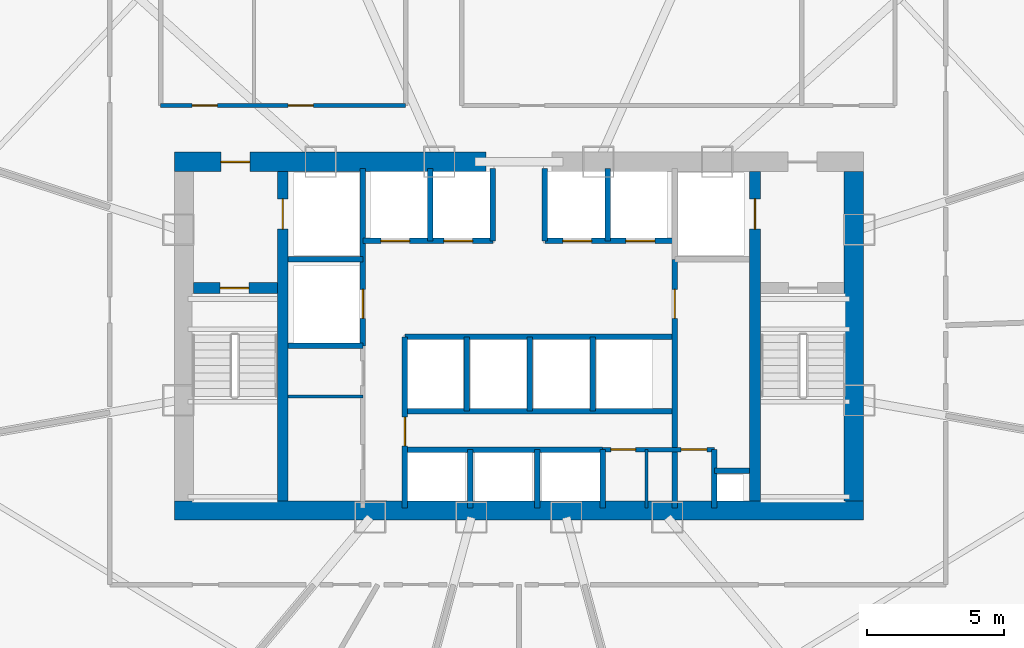
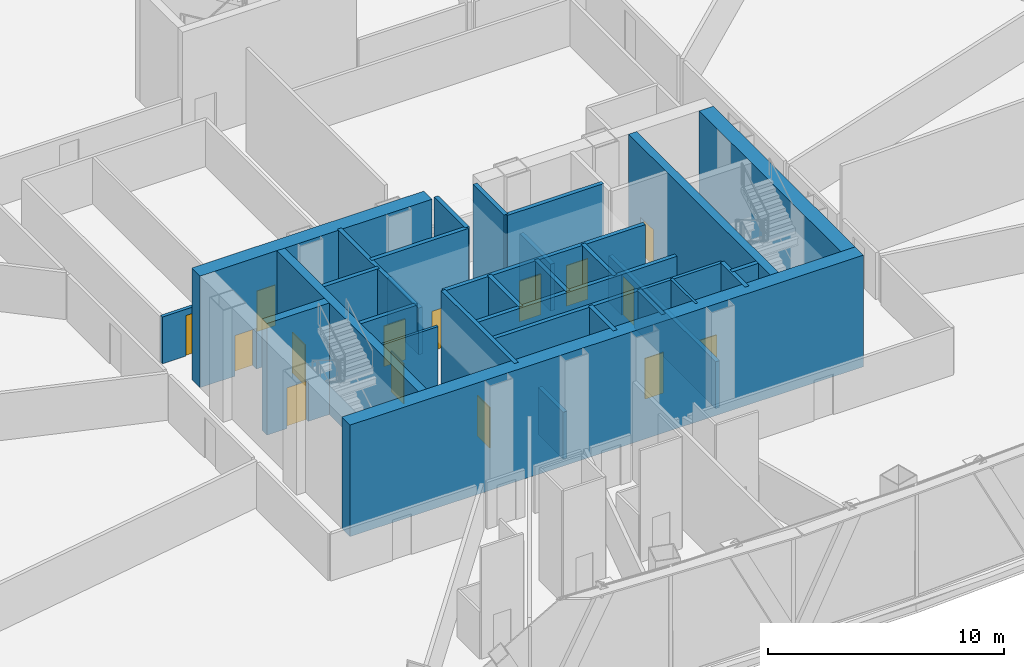
# One storey, part 34 of 41: 32 walls, 15 doors, 15 openings.
"""IFC4 building model written with IfcOpenShell, lengths in metres."""

from ifc_helpers import new_model, si_unit, direction, frame, frame_2d, origin, origin_with_axes, place, context, subcontext, project, spatial, rectangle, extrude, source, transform, mapped, material, layer, layer_set, type_object, element, fill, save


model = new_model("IFC4")

# Units and contexts
model_context = context("Model", 3, precision=1e-05, world=origin(), true_north=direction((0.0, 1.0)))
body_context = subcontext(model_context, "Body", "Model", "MODEL_VIEW")
ifc_project = project(units=[si_unit("LENGTHUNIT", "METRE"), si_unit("AREAUNIT", "SQUARE_METRE"), si_unit("VOLUMEUNIT", "CUBIC_METRE"), si_unit("PLANEANGLEUNIT", "RADIAN"), si_unit("MASSUNIT", "GRAM", prefix="KILO"), si_unit("THERMODYNAMICTEMPERATUREUNIT", "KELVIN"), si_unit("POWERUNIT", "WATT")], contexts=[model_context])

# Site, building, storey
site_placement = place(None, origin())
site = spatial("IfcSite", under=ifc_project, at=site_placement, CompositionType="ELEMENT")
building_placement = place(site_placement, origin())
building = spatial("IfcBuilding", under=site, at=building_placement, Name="Yunzhuo Pagoda Commons", CompositionType="ELEMENT")
storey_placement = place(building_placement, frame((0.0, 0.0, 70.330078125)))
storey = spatial("IfcBuildingStorey", under=building, at=storey_placement, Name="L18", CompositionType="ELEMENT", Elevation=70.330078125)

# Wall
ifc_material_1 = material(Name="Concrete C60", Category="concrete")
ifc_layer_1 = layer(ifc_material_1, 0.699951171875)
ifc_layer_set_1 = layer_set([ifc_layer_1], Name="Concrete C60")
wall_type_1 = type_object("IfcWallType", Name="W-C01 Lower Core Shear Wall 700", PredefinedType="SHEAR", material=ifc_layer_set_1)
wall_1_placement = place(storey_placement, frame((35.449951171875, 27.5, 0.0), z_axis=(0.0, 0.0, 1.0), x_axis=(1.0, 0.0, 0.0)))
element("IfcWall", 1, at=wall_1_placement, inside=storey, type_object=wall_type_1, Name="L18 core shear wall S", PredefinedType="SHEAR", context=body_context, shape_type="SweptSolid", body=[
    extrude(rectangle(XDim=25.10009765625, YDim=0.699951171875, at=frame_2d((12.550048828125, 0.0))), origin(), (0.0, 0.0, 1.0), 5.77001953125),
])

# Wall, opening, door
wall_2_placement = place(storey_placement, frame((35.449951171875, 40.199951171875, 0.0), z_axis=(0.0, 0.0, 1.0), x_axis=(1.0, 0.0, 0.0)))
wall_2 = element("IfcWall", 2, at=wall_2_placement, inside=storey, type_object=wall_type_1, Name="L18 core shear wall NW", PredefinedType="SHEAR", context=body_context, shape_type="SweptSolid", body=[
    extrude(rectangle(XDim=11.35009765625, YDim=0.699951171875, at=frame_2d((5.675048828125, 0.0))), origin(), (0.0, 0.0, 1.0), 5.77001953125),
])
opening_1_placement = place(wall_2_placement, frame((1.699951171875, 0.0, 0.0)))
opening_1 = element("IfcOpeningElement", 3, at=opening_1_placement, cuts=wall_2, Name="Opening D-02", PredefinedType="OPENING", context=body_context, shape_type="SweptSolid", body=[
    extrude(rectangle(XDim=1.050048828125, YDim=2.10009765625, at=frame_2d((0.52490234375, 1.050048828125))), frame((0.0, 0.35986328125, 0.0), z_axis=(0.0, -1.0, 0.0), x_axis=(1.0, 0.0, 0.0)), (0.0, 0.0, 1.0), 0.719970703125),
])
ifc_material_2 = material(Name="Galvanized fire-resisting metal leaf")
door_type_1 = type_object("IfcDoorType", Name="D-02 Firefighting Lobby & Refuge Fire Door 1050x2100", OperationType="NOTDEFINED", PredefinedType="DOOR", material=ifc_material_2)
shared_shape_1 = source(origin(), body_context, "Body", "SweptSolid", [
    extrude(rectangle(XDim=1.050048828125, YDim=2.10009765625, at=frame_2d((0.52490234375, 1.050048828125))), frame((0.0, 0.02490234375, 0.0), z_axis=(0.0, -1.0, 0.0), x_axis=(1.0, 0.0, 0.0)), (0.0, 0.0, 1.0), 0.050048828125),
])
door_1_placement = place(opening_1_placement, frame((1.050048828125, 0.0, 0.0), z_axis=(0.0, 0.0, 1.0), x_axis=(-1.0, 0.0, 0.0)))
door_1 = element("IfcDoor", 4, at=door_1_placement, inside=storey, type_object=door_type_1, Name="L18 Firefighting Lobby 1 fire door", OperationType="SINGLE_SWING_LEFT", OverallHeight=2.10009765625, OverallWidth=1.050048828125, PredefinedType="DOOR", context=body_context, shape_type="MappedRepresentation", body=[
    mapped(shared_shape_1, transform((0.0, 0.0, 0.0), scale=1.0)),
])
fill(opening_1, door_1)

# Wall
wall_3_placement = place(storey_placement, frame((60.199951171875, 27.85009765625, 0.0), z_axis=(0.0, 0.0, 1.0), x_axis=(0.0, 1.0, 0.0)))
element("IfcWall", 5, at=wall_3_placement, inside=storey, type_object=wall_type_1, Name="L18 core shear wall E", PredefinedType="SHEAR", context=body_context, shape_type="SweptSolid", body=[
    extrude(rectangle(XDim=12.0, YDim=0.699951171875, at=frame_2d((6.0, 0.0))), origin(), (0.0, 0.0, 1.0), 5.77001953125),
])

# Wall, openings, doors
ifc_material_3 = material(Name="Gypsum plasterboard on acoustic stud")
ifc_layer_2 = layer(ifc_material_3, 0.159912109375)
ifc_layer_set_2 = layer_set([ifc_layer_2], Name="Gypsum plasterboard on acoustic stud")
wall_type_2 = type_object("IfcWallType", Name="W-COR1 Tower Rated Corridor Wall 160", PredefinedType="PARTITIONING", material=ifc_layer_set_2)
wall_4_placement = place(storey_placement, frame((51.050048828125, 29.719970703125, 0.0), z_axis=(0.0, 0.0, 1.0), x_axis=(1.0, 0.0, 0.0)))
wall_4 = element("IfcWall", 6, at=wall_4_placement, inside=storey, type_object=wall_type_2, Name="L18 interior wall IW-L18-CSES", PredefinedType="PARTITIONING", context=body_context, shape_type="SweptSolid", body=[
    extrude(rectangle(XDim=4.070068359375, YDim=0.159912109375, at=frame_2d((2.03515625, 0.0))), origin(), (0.0, 0.0, 1.0), 5.77001953125),
])
opening_2_placement = place(wall_4_placement, frame((0.300048828125, 0.0, 0.0)))
opening_2 = element("IfcOpeningElement", 7, at=opening_2_placement, cuts=wall_4, Name="Opening D-03", PredefinedType="OPENING", context=body_context, shape_type="SweptSolid", body=[
    extrude(rectangle(XDim=0.89990234375, YDim=2.10009765625, at=frame_2d((0.449951171875, 1.050048828125))), frame((0.0, 0.08984375, 0.0), z_axis=(0.0, -1.0, 0.0), x_axis=(1.0, 0.0, 0.0)), (0.0, 0.0, 1.0), 0.179931640625),
])
opening_3_placement = place(wall_4_placement, frame((2.860107421875, 0.0, 0.0)))
opening_3 = element("IfcOpeningElement", 8, at=opening_3_placement, cuts=wall_4, Name="Opening D-11", PredefinedType="OPENING", context=body_context, shape_type="SweptSolid", body=[
    extrude(rectangle(XDim=0.93994140625, YDim=2.10009765625, at=frame_2d((0.469970703125, 1.050048828125))), frame((0.0, 0.08984375, 0.0), z_axis=(0.0, -1.0, 0.0), x_axis=(1.0, 0.0, 0.0)), (0.0, 0.0, 1.0), 0.179931640625),
])
door_type_2 = type_object("IfcDoorType", Name="D-03 Core Service Fire Door 900x2100", OperationType="NOTDEFINED", PredefinedType="DOOR", material=ifc_material_2)
shared_shape_2 = source(origin(), body_context, "Body", "SweptSolid", [
    extrude(rectangle(XDim=0.89990234375, YDim=2.10009765625, at=frame_2d((0.449951171875, 1.050048828125))), frame((0.0, 0.02490234375, 0.0), z_axis=(0.0, -1.0, 0.0), x_axis=(1.0, 0.0, 0.0)), (0.0, 0.0, 1.0), 0.050048828125),
])
door_2_placement = place(opening_2_placement, origin_with_axes())
door_2 = element("IfcDoor", 9, at=door_2_placement, inside=storey, type_object=door_type_2, Name="L18 cleaner door", OperationType="SINGLE_SWING_LEFT", OverallHeight=2.10009765625, OverallWidth=0.89990234375, PredefinedType="DOOR", context=body_context, shape_type="MappedRepresentation", body=[
    mapped(shared_shape_2, transform((0.0, 0.0, 0.0), scale=1.0)),
])
fill(opening_2, door_2)
door_type_3 = type_object("IfcDoorType", Name="D-11 Accessible Washroom Fire Door 940x2100", OperationType="NOTDEFINED", PredefinedType="DOOR", material=ifc_material_2)
shared_shape_3 = source(origin(), body_context, "Body", "SweptSolid", [
    extrude(rectangle(XDim=0.93994140625, YDim=2.10009765625, at=frame_2d((0.469970703125, 1.050048828125))), frame((0.0, 0.02490234375, 0.0), z_axis=(0.0, -1.0, 0.0), x_axis=(1.0, 0.0, 0.0)), (0.0, 0.0, 1.0), 0.050048828125),
])
door_3_placement = place(opening_3_placement, origin_with_axes())
door_3 = element("IfcDoor", 10, at=door_3_placement, inside=storey, type_object=door_type_3, Name="L18 core WC door", OperationType="SINGLE_SWING_RIGHT", OverallHeight=2.10009765625, OverallWidth=0.93994140625, PredefinedType="DOOR", context=body_context, shape_type="MappedRepresentation", body=[
    mapped(shared_shape_3, transform((0.0, 0.0, 0.0), scale=1.0)),
])
fill(opening_3, door_3)

wall_5_placement = place(storey_placement, frame((34.949951171875, 42.25, 0.0), z_axis=(0.0, 0.0, 1.0), x_axis=(1.0, 0.0, 0.0)))
wall_5 = element("IfcWall", 11, at=wall_5_placement, inside=storey, type_object=wall_type_2, Name="L18 interior wall IW-L18-ISLWS", PredefinedType="PARTITIONING", context=body_context, shape_type="SweptSolid", body=[
    extrude(rectangle(XDim=8.929931640625, YDim=0.159912109375, at=frame_2d((4.46484375, 0.0))), origin(), (0.0, 0.0, 1.0), 2.419921875),
])
opening_4_placement = place(wall_5_placement, frame((1.14990234375, 0.0, 0.0)))
opening_4 = element("IfcOpeningElement", 12, at=opening_4_placement, cuts=wall_5, Name="Opening D-04", PredefinedType="OPENING", context=body_context, shape_type="SweptSolid", body=[
    extrude(rectangle(XDim=0.919921875, YDim=2.10009765625, at=frame_2d((0.4599609375, 1.050048828125))), frame((0.0, 0.08984375, 0.0), z_axis=(0.0, -1.0, 0.0), x_axis=(1.0, 0.0, 0.0)), (0.0, 0.0, 1.0), 0.179931640625),
])
opening_5_placement = place(wall_5_placement, frame((4.64990234375, 0.0, 0.0)))
opening_5 = element("IfcOpeningElement", 13, at=opening_5_placement, cuts=wall_5, Name="Opening D-04", PredefinedType="OPENING", context=body_context, shape_type="SweptSolid", body=[
    extrude(rectangle(XDim=0.919921875, YDim=2.10009765625, at=frame_2d((0.4599609375, 1.050048828125))), frame((0.0, 0.08984375, 0.0), z_axis=(0.0, -1.0, 0.0), x_axis=(1.0, 0.0, 0.0)), (0.0, 0.0, 1.0), 0.179931640625),
])
ifc_material_4 = material(Name="Powder-coated aluminium and timber acoustic leaf", Category="wood")
door_type_4 = type_object("IfcDoorType", Name="D-04 Bedroom & Study Interior Door 920x2100", OperationType="NOTDEFINED", PredefinedType="DOOR", material=ifc_material_4)
shared_shape_4 = source(origin(), body_context, "Body", "SweptSolid", [
    extrude(rectangle(XDim=0.919921875, YDim=2.10009765625, at=frame_2d((0.4599609375, 1.050048828125))), frame((0.0, 0.02490234375, 0.0), z_axis=(0.0, -1.0, 0.0), x_axis=(1.0, 0.0, 0.0)), (0.0, 0.0, 1.0), 0.050048828125),
])
door_4_placement = place(opening_4_placement, frame((0.919921875, 0.0, 0.0), z_axis=(0.0, 0.0, 1.0), x_axis=(-1.0, 0.0, 0.0)))
door_4 = element("IfcDoor", 14, at=door_4_placement, inside=storey, type_object=door_type_4, Name="L18 laundry door", OperationType="SINGLE_SWING_LEFT", OverallHeight=2.10009765625, OverallWidth=0.919921875, PredefinedType="DOOR", context=body_context, shape_type="MappedRepresentation", body=[
    mapped(shared_shape_4, transform((0.0, 0.0, 0.0), scale=1.0)),
])
fill(opening_4, door_4)
door_5_placement = place(opening_5_placement, frame((0.919921875, 0.0, 0.0), z_axis=(0.0, 0.0, 1.0), x_axis=(-1.0, 0.0, 0.0)))
door_5 = element("IfcDoor", 15, at=door_5_placement, inside=storey, type_object=door_type_4, Name="L18 study commons W door", OperationType="SINGLE_SWING_RIGHT", OverallHeight=2.10009765625, OverallWidth=0.919921875, PredefinedType="DOOR", context=body_context, shape_type="MappedRepresentation", body=[
    mapped(shared_shape_4, transform((0.0, 0.0, 0.0), scale=1.0)),
])
fill(opening_5, door_5)

# Walls
ifc_layer_3 = layer(ifc_material_3, 0.1201171875)
ifc_layer_set_3 = layer_set([ifc_layer_3], Name="Gypsum plasterboard on acoustic stud")
wall_type_3 = type_object("IfcWallType", Name="W-PRT1 Suite & Bathroom Partition 120", PredefinedType="PARTITIONING", material=ifc_layer_set_3)
wall_6_placement = place(storey_placement, frame((39.60009765625, 31.64990234375, 0.0), z_axis=(0.0, 0.0, 1.0), x_axis=(1.0, 0.0, 0.0)))
element("IfcWall", 16, at=wall_6_placement, inside=storey, type_object=wall_type_3, Name="L18 interior wall IW-L18-CD1", PredefinedType="PARTITIONING", context=body_context, shape_type="SweptSolid", body=[
    extrude(rectangle(XDim=2.719970703125, YDim=0.1201171875, at=frame_2d((1.35986328125, 0.0))), origin(), (0.0, 0.0, 1.0), 5.77001953125),
])
wall_7_placement = place(storey_placement, frame((52.64990234375, 27.60009765625, 0.0), z_axis=(0.0, 0.0, 1.0), x_axis=(0.0, 1.0, 0.0)))
element("IfcWall", 17, at=wall_7_placement, inside=storey, type_object=wall_type_3, Name="L18 interior wall IW-L18-CD2", PredefinedType="PARTITIONING", context=body_context, shape_type="SweptSolid", body=[
    extrude(rectangle(XDim=2.119873046875, YDim=0.1201171875, at=frame_2d((1.06005859375, 0.0))), origin(), (0.0, 0.0, 1.0), 5.77001953125),
])

# Wall, opening, door
ifc_layer_4 = layer(ifc_material_1, 0.39990234375)
ifc_layer_set_4 = layer_set([ifc_layer_4], Name="Concrete C60")
wall_type_4 = type_object("IfcWallType", Name="W-S01 Internal Core Shear Web 400", PredefinedType="SHEAR", material=ifc_layer_set_4)
wall_8_placement = place(storey_placement, frame((39.39990234375, 27.85009765625, 0.0), z_axis=(0.0, 0.0, 1.0), x_axis=(0.0, 1.0, 0.0)))
wall_8 = element("IfcWall", 18, at=wall_8_placement, inside=storey, type_object=wall_type_4, Name="L18 core shear wall WEBW", PredefinedType="SHEAR", context=body_context, shape_type="SweptSolid", body=[
    extrude(rectangle(XDim=12.0, YDim=0.39990234375, at=frame_2d((6.0, 0.0))), origin(), (0.0, 0.0, 1.0), 5.77001953125),
])
opening_6_placement = place(wall_8_placement, frame((9.89990234375, 0.0, 0.0)))
opening_6 = element("IfcOpeningElement", 19, at=opening_6_placement, cuts=wall_8, Name="Opening LD-01", PredefinedType="OPENING", context=body_context, shape_type="SweptSolid", body=[
    extrude(rectangle(XDim=1.10009765625, YDim=2.10009765625, at=frame_2d((0.550048828125, 1.050048828125))), frame((0.0, 0.2099609375, 0.0), z_axis=(0.0, -1.0, 0.0), x_axis=(1.0, 0.0, 0.0)), (0.0, 0.0, 1.0), 0.419921875),
])
door_type_5 = type_object("IfcDoorType", Name="LD-01 Firefighting Lift Landing Door 1100x2100", OperationType="DOUBLE_DOOR_SLIDING", PredefinedType="DOOR", material=ifc_material_2)
shared_shape_5 = source(origin(), body_context, "Body", "SweptSolid", [
    extrude(rectangle(XDim=1.10009765625, YDim=2.10009765625, at=frame_2d((0.550048828125, 1.050048828125))), frame((0.0, 0.02490234375, 0.0), z_axis=(0.0, -1.0, 0.0), x_axis=(1.0, 0.0, 0.0)), (0.0, 0.0, 1.0), 0.050048828125),
])
door_6_placement = place(opening_6_placement, frame((1.10009765625, 0.0, 0.0), z_axis=(0.0, 0.0, 1.0), x_axis=(-1.0, 0.0, 0.0)))
door_6 = element("IfcDoor", 20, at=door_6_placement, inside=storey, type_object=door_type_5, Name="L18 Firefighting lift FL-1 landing door", OperationType="DOUBLE_DOOR_SLIDING", OverallHeight=2.10009765625, OverallWidth=1.10009765625, PredefinedType="DOOR", context=body_context, shape_type="MappedRepresentation", body=[
    mapped(shared_shape_5, transform((0.0, 0.0, 0.0), scale=1.0)),
])
fill(opening_6, door_6)

wall_9_placement = place(storey_placement, frame((56.60009765625, 27.85009765625, 0.0), z_axis=(0.0, 0.0, 1.0), x_axis=(0.0, 1.0, 0.0)))
wall_9 = element("IfcWall", 21, at=wall_9_placement, inside=storey, type_object=wall_type_4, Name="L18 core shear wall WEBE", PredefinedType="SHEAR", context=body_context, shape_type="SweptSolid", body=[
    extrude(rectangle(XDim=12.0, YDim=0.39990234375, at=frame_2d((6.0, 0.0))), origin(), (0.0, 0.0, 1.0), 5.77001953125),
])
opening_7_placement = place(wall_9_placement, frame((9.89990234375, 0.0, 0.0)))
opening_7 = element("IfcOpeningElement", 22, at=opening_7_placement, cuts=wall_9, Name="Opening LD-01", PredefinedType="OPENING", context=body_context, shape_type="SweptSolid", body=[
    extrude(rectangle(XDim=1.10009765625, YDim=2.10009765625, at=frame_2d((0.550048828125, 1.050048828125))), frame((0.0, 0.2099609375, 0.0), z_axis=(0.0, -1.0, 0.0), x_axis=(1.0, 0.0, 0.0)), (0.0, 0.0, 1.0), 0.419921875),
])
door_7_placement = place(opening_7_placement, origin_with_axes())
door_7 = element("IfcDoor", 23, at=door_7_placement, inside=storey, type_object=door_type_5, Name="L18 Firefighting lift FL-2 landing door", OperationType="DOUBLE_DOOR_SLIDING", OverallHeight=2.10009765625, OverallWidth=1.10009765625, PredefinedType="DOOR", context=body_context, shape_type="MappedRepresentation", body=[
    mapped(shared_shape_5, transform((0.0, 0.0, 0.0), scale=1.0)),
])
fill(opening_7, door_7)

wall_10_placement = place(storey_placement, frame((36.14990234375, 35.60009765625, 0.0), z_axis=(0.0, 0.0, 1.0), x_axis=(1.0, 0.0, 0.0)))
wall_10 = element("IfcWall", 24, at=wall_10_placement, inside=storey, type_object=wall_type_4, Name="L18 core shear wall STW", PredefinedType="SHEAR", context=body_context, shape_type="SweptSolid", body=[
    extrude(rectangle(XDim=3.050048828125, YDim=0.39990234375, at=frame_2d((1.52490234375, 0.0))), origin(), (0.0, 0.0, 1.0), 5.77001953125),
])
opening_8_placement = place(wall_10_placement, frame((0.969970703125, 0.0, 0.0)))
opening_8 = element("IfcOpeningElement", 25, at=opening_8_placement, cuts=wall_10, Name="Opening D-01", PredefinedType="OPENING", context=body_context, shape_type="SweptSolid", body=[
    extrude(rectangle(XDim=1.050048828125, YDim=2.10009765625, at=frame_2d((0.52490234375, 1.050048828125))), frame((0.0, 0.2099609375, 0.0), z_axis=(0.0, -1.0, 0.0), x_axis=(1.0, 0.0, 0.0)), (0.0, 0.0, 1.0), 0.419921875),
])
door_type_6 = type_object("IfcDoorType", Name="D-01 Smokeproof Stair Fire Door 1050x2100", OperationType="NOTDEFINED", PredefinedType="DOOR", material=ifc_material_2)
door_8_placement = place(opening_8_placement, frame((1.050048828125, 0.0, 0.0), z_axis=(0.0, 0.0, 1.0), x_axis=(-1.0, 0.0, 0.0)))
door_8 = element("IfcDoor", 26, at=door_8_placement, inside=storey, type_object=door_type_6, Name="L18 Stair ST1 fire door", OperationType="SINGLE_SWING_LEFT", OverallHeight=2.10009765625, OverallWidth=1.050048828125, PredefinedType="DOOR", context=body_context, shape_type="MappedRepresentation", body=[
    mapped(shared_shape_1, transform((0.0, 0.0, 0.0), scale=1.0)),
])
fill(opening_8, door_8)

ifc_material_5 = material(Name="Concrete C40", Category="concrete")
ifc_layer_5 = layer(ifc_material_5, 0.199951171875)
ifc_layer_set_5 = layer_set([ifc_layer_5], Name="Concrete C40")
wall_type_5 = type_object("IfcWallType", Name="W-SHF Shaft & Stair Enclosure Wall 200", PredefinedType="SOLIDWALL", material=ifc_layer_set_5)
wall_11_placement = place(storey_placement, frame((42.320068359375, 33.5, 0.0), z_axis=(0.0, 0.0, 1.0), x_axis=(0.0, 1.0, 0.0)))
wall_11 = element("IfcWall", 27, at=wall_11_placement, inside=storey, type_object=wall_type_5, Name="L18 interior wall IW-L18-FL1E", PredefinedType="SOLIDWALL", context=body_context, shape_type="SweptSolid", body=[
    extrude(rectangle(XDim=6.449951171875, YDim=0.199951171875, at=frame_2d((3.22509765625, 0.0))), origin(), (0.0, 0.0, 1.0), 5.77001953125),
])
opening_9_placement = place(wall_11_placement, frame((1.0, 0.0, 0.0)))
opening_9 = element("IfcOpeningElement", 28, at=opening_9_placement, cuts=wall_11, Name="Opening LD-02", PredefinedType="OPENING", context=body_context, shape_type="SweptSolid", body=[
    extrude(rectangle(XDim=1.050048828125, YDim=2.10009765625, at=frame_2d((0.52490234375, 1.050048828125))), frame((0.0, 0.10986328125, 0.0), z_axis=(0.0, -1.0, 0.0), x_axis=(1.0, 0.0, 0.0)), (0.0, 0.0, 1.0), 0.219970703125),
])
door_type_7 = type_object("IfcDoorType", Name="LD-02 Passenger Lift Landing Door 1050x2100", OperationType="DOUBLE_DOOR_SLIDING", PredefinedType="DOOR", material=ifc_material_2)
door_9_placement = place(opening_9_placement, origin_with_axes())
door_9 = element("IfcDoor", 29, at=door_9_placement, inside=storey, type_object=door_type_7, Name="L18 Service lift SL-1 landing door", OperationType="DOUBLE_DOOR_SLIDING", OverallHeight=2.10009765625, OverallWidth=1.050048828125, PredefinedType="DOOR", context=body_context, shape_type="MappedRepresentation", body=[
    mapped(shared_shape_1, transform((0.0, 0.0, 0.0), scale=1.0)),
])
fill(opening_9, door_9)

# Walls
for number, where, z_axis, x_axis, name in (
    (30, (39.60009765625, 36.64990234375, 0.0), (0.0, 0.0, 1.0), (1.0, 0.0, 0.0), "L18 interior wall IW-L18-FL1S"),
    (31, (39.60009765625, 33.5, 0.0), (0.0, 0.0, 1.0), (1.0, 0.0, 0.0), "L18 interior wall IW-L18-SL1S"),
):
    element("IfcWall", number, at=place(storey_placement, frame(where, z_axis=z_axis, x_axis=x_axis)), inside=storey, type_object=wall_type_5, Name=name, PredefinedType="SOLIDWALL", context=body_context, shape_type="SweptSolid", body=[
        extrude(rectangle(XDim=2.719970703125, YDim=0.199951171875, at=frame_2d((1.35986328125, 0.0))), origin(), (0.0, 0.0, 1.0), 5.77001953125),
    ])

# Wall, openings, doors
wall_12_placement = place(storey_placement, frame((42.320068359375, 37.320068359375, 0.0), z_axis=(0.0, 0.0, 1.0), x_axis=(1.0, 0.0, 0.0)))
wall_12 = element("IfcWall", 32, at=wall_12_placement, inside=storey, type_object=wall_type_5, Name="L18 interior wall IW-L18-LBNW", PredefinedType="SOLIDWALL", context=body_context, shape_type="SweptSolid", body=[
    extrude(rectangle(XDim=4.72998046875, YDim=0.199951171875, at=frame_2d((2.364990234375, 0.0))), origin(), (0.0, 0.0, 1.0), 5.77001953125),
])
opening_10_placement = place(wall_12_placement, frame((0.64990234375, 0.0, 0.0)))
opening_10 = element("IfcOpeningElement", 33, at=opening_10_placement, cuts=wall_12, Name="Opening LD-02", PredefinedType="OPENING", context=body_context, shape_type="SweptSolid", body=[
    extrude(rectangle(XDim=1.050048828125, YDim=2.10009765625, at=frame_2d((0.52490234375, 1.050048828125))), frame((0.0, 0.10986328125, 0.0), z_axis=(0.0, -1.0, 0.0), x_axis=(1.0, 0.0, 0.0)), (0.0, 0.0, 1.0), 0.219970703125),
])
opening_11_placement = place(wall_12_placement, frame((2.949951171875, 0.0, 0.0)))
opening_11 = element("IfcOpeningElement", 34, at=opening_11_placement, cuts=wall_12, Name="Opening LD-02", PredefinedType="OPENING", context=body_context, shape_type="SweptSolid", body=[
    extrude(rectangle(XDim=1.050048828125, YDim=2.10009765625, at=frame_2d((0.52490234375, 1.050048828125))), frame((0.0, 0.10986328125, 0.0), z_axis=(0.0, -1.0, 0.0), x_axis=(1.0, 0.0, 0.0)), (0.0, 0.0, 1.0), 0.219970703125),
])
door_10_placement = place(opening_10_placement, frame((1.050048828125, 0.0, 0.0), z_axis=(0.0, 0.0, 1.0), x_axis=(-1.0, 0.0, 0.0)))
door_10 = element("IfcDoor", 35, at=door_10_placement, inside=storey, type_object=door_type_7, Name="L18 Passenger lift PL-L1 landing door", OperationType="DOUBLE_DOOR_SLIDING", OverallHeight=2.10009765625, OverallWidth=1.050048828125, PredefinedType="DOOR", context=body_context, shape_type="MappedRepresentation", body=[
    mapped(shared_shape_1, transform((0.0, 0.0, 0.0), scale=1.0)),
])
fill(opening_10, door_10)
door_11_placement = place(opening_11_placement, frame((1.050048828125, 0.0, 0.0), z_axis=(0.0, 0.0, 1.0), x_axis=(-1.0, 0.0, 0.0)))
door_11 = element("IfcDoor", 36, at=door_11_placement, inside=storey, type_object=door_type_7, Name="L18 Passenger lift PL-L2 landing door", OperationType="DOUBLE_DOOR_SLIDING", OverallHeight=2.10009765625, OverallWidth=1.050048828125, PredefinedType="DOOR", context=body_context, shape_type="MappedRepresentation", body=[
    mapped(shared_shape_1, transform((0.0, 0.0, 0.0), scale=1.0)),
])
fill(opening_11, door_11)

wall_13_placement = place(storey_placement, frame((48.949951171875, 37.320068359375, 0.0), z_axis=(0.0, 0.0, 1.0), x_axis=(1.0, 0.0, 0.0)))
wall_13 = element("IfcWall", 37, at=wall_13_placement, inside=storey, type_object=wall_type_5, Name="L18 interior wall IW-L18-LBNE", PredefinedType="SOLIDWALL", context=body_context, shape_type="SweptSolid", body=[
    extrude(rectangle(XDim=4.72998046875, YDim=0.199951171875, at=frame_2d((2.364990234375, 0.0))), origin(), (0.0, 0.0, 1.0), 5.77001953125),
])
opening_12_placement = place(wall_13_placement, frame((0.64990234375, 0.0, 0.0)))
opening_12 = element("IfcOpeningElement", 38, at=opening_12_placement, cuts=wall_13, Name="Opening LD-02", PredefinedType="OPENING", context=body_context, shape_type="SweptSolid", body=[
    extrude(rectangle(XDim=1.050048828125, YDim=2.10009765625, at=frame_2d((0.52490234375, 1.050048828125))), frame((0.0, 0.10986328125, 0.0), z_axis=(0.0, -1.0, 0.0), x_axis=(1.0, 0.0, 0.0)), (0.0, 0.0, 1.0), 0.219970703125),
])
opening_13_placement = place(wall_13_placement, frame((2.949951171875, 0.0, 0.0)))
opening_13 = element("IfcOpeningElement", 39, at=opening_13_placement, cuts=wall_13, Name="Opening LD-02", PredefinedType="OPENING", context=body_context, shape_type="SweptSolid", body=[
    extrude(rectangle(XDim=1.050048828125, YDim=2.10009765625, at=frame_2d((0.52490234375, 1.050048828125))), frame((0.0, 0.10986328125, 0.0), z_axis=(0.0, -1.0, 0.0), x_axis=(1.0, 0.0, 0.0)), (0.0, 0.0, 1.0), 0.219970703125),
])
door_12_placement = place(opening_12_placement, frame((1.050048828125, 0.0, 0.0), z_axis=(0.0, 0.0, 1.0), x_axis=(-1.0, 0.0, 0.0)))
door_12 = element("IfcDoor", 40, at=door_12_placement, inside=storey, type_object=door_type_7, Name="L18 Passenger lift PL-L3 landing door", OperationType="DOUBLE_DOOR_SLIDING", OverallHeight=2.10009765625, OverallWidth=1.050048828125, PredefinedType="DOOR", context=body_context, shape_type="MappedRepresentation", body=[
    mapped(shared_shape_1, transform((0.0, 0.0, 0.0), scale=1.0)),
])
fill(opening_12, door_12)
door_13_placement = place(opening_13_placement, frame((1.050048828125, 0.0, 0.0), z_axis=(0.0, 0.0, 1.0), x_axis=(-1.0, 0.0, 0.0)))
door_13 = element("IfcDoor", 41, at=door_13_placement, inside=storey, type_object=door_type_7, Name="L18 Passenger lift PL-L4 landing door", OperationType="DOUBLE_DOOR_SLIDING", OverallHeight=2.10009765625, OverallWidth=1.050048828125, PredefinedType="DOOR", context=body_context, shape_type="MappedRepresentation", body=[
    mapped(shared_shape_1, transform((0.0, 0.0, 0.0), scale=1.0)),
])
fill(opening_13, door_13)

# Walls
for number, where, z_axis, x_axis, name in (
    (42, (47.050048828125, 37.320068359375, 0.0), (0.0, 0.0, 1.0), (0.0, 1.0, 0.0), "L18 interior wall IW-L18-THRW"),
    (43, (48.949951171875, 37.320068359375, 0.0), (0.0, 0.0, 1.0), (0.0, 1.0, 0.0), "L18 interior wall IW-L18-THRE"),
):
    element("IfcWall", number, at=place(storey_placement, frame(where, z_axis=z_axis, x_axis=x_axis)), inside=storey, type_object=wall_type_5, Name=name, PredefinedType="SOLIDWALL", context=body_context, shape_type="SweptSolid", body=[
        extrude(rectangle(XDim=2.6298828125, YDim=0.199951171875, at=frame_2d((1.31494140625, 0.0))), origin(), (0.0, 0.0, 1.0), 5.77001953125),
    ])
for number, where, z_axis, x_axis, name in (
    (44, (44.77001953125, 37.320068359375, 0.0), (0.0, 0.0, 1.0), (0.0, 1.0, 0.0), "L18 interior wall IW-L18-PLL12"),
    (45, (51.22998046875, 37.320068359375, 0.0), (0.0, 0.0, 1.0), (0.0, 1.0, 0.0), "L18 interior wall IW-L18-PLL34"),
):
    element("IfcWall", number, at=place(storey_placement, frame(where, z_axis=z_axis, x_axis=x_axis)), inside=storey, type_object=wall_type_5, Name=name, PredefinedType="SOLIDWALL", context=body_context, shape_type="SweptSolid", body=[
        extrude(rectangle(XDim=2.6298828125, YDim=0.199951171875, at=frame_2d((1.31494140625, 0.0))), origin(), (0.0, 0.0, 1.0), 2.419921875),
    ])
wall_14_placement = place(storey_placement, frame((43.85009765625, 33.820068359375, 0.0), z_axis=(0.0, 0.0, 1.0), x_axis=(1.0, 0.0, 0.0)))
element("IfcWall", 46, at=wall_14_placement, inside=storey, type_object=wall_type_5, Name="L18 interior wall IW-L18-MLBS", PredefinedType="SOLIDWALL", context=body_context, shape_type="SweptSolid", body=[
    extrude(rectangle(XDim=9.829833984375, YDim=0.199951171875, at=frame_2d((4.9150390625, 0.0))), origin(), (0.0, 0.0, 1.0), 5.77001953125),
])

# Wall, opening, door
wall_15_placement = place(storey_placement, frame((43.85009765625, 27.60009765625, 0.0), z_axis=(0.0, 0.0, 1.0), x_axis=(0.0, 1.0, 0.0)))
wall_15 = element("IfcWall", 47, at=wall_15_placement, inside=storey, type_object=wall_type_5, Name="L18 interior wall IW-L18-PLMW", PredefinedType="SOLIDWALL", context=body_context, shape_type="SweptSolid", body=[
    extrude(rectangle(XDim=6.219970703125, YDim=0.199951171875, at=frame_2d((3.10986328125, 0.0))), origin(), (0.0, 0.0, 1.0), 5.77001953125),
])
opening_14_placement = place(wall_15_placement, frame((2.25, 0.0, 0.0)))
opening_14 = element("IfcOpeningElement", 48, at=opening_14_placement, cuts=wall_15, Name="Opening D-02", PredefinedType="OPENING", context=body_context, shape_type="SweptSolid", body=[
    extrude(rectangle(XDim=1.050048828125, YDim=2.10009765625, at=frame_2d((0.52490234375, 1.050048828125))), frame((0.0, 0.10986328125, 0.0), z_axis=(0.0, -1.0, 0.0), x_axis=(1.0, 0.0, 0.0)), (0.0, 0.0, 1.0), 0.219970703125),
])
door_14_placement = place(opening_14_placement, frame((1.050048828125, 0.0, 0.0), z_axis=(0.0, 0.0, 1.0), x_axis=(-1.0, 0.0, 0.0)))
door_14 = element("IfcDoor", 49, at=door_14_placement, inside=storey, type_object=door_type_1, Name="L18 High-bank hall west door", OperationType="SINGLE_SWING_LEFT", OverallHeight=2.10009765625, OverallWidth=1.050048828125, PredefinedType="DOOR", context=body_context, shape_type="MappedRepresentation", body=[
    mapped(shared_shape_1, transform((0.0, 0.0, 0.0), scale=1.0)),
])
fill(opening_14, door_14)

wall_16_placement = place(storey_placement, frame((53.679931640625, 27.60009765625, 0.0), z_axis=(0.0, 0.0, 1.0), x_axis=(0.0, 1.0, 0.0)))
wall_16 = element("IfcWall", 50, at=wall_16_placement, inside=storey, type_object=wall_type_5, Name="L18 interior wall IW-L18-PLME", PredefinedType="SOLIDWALL", context=body_context, shape_type="SweptSolid", body=[
    extrude(rectangle(XDim=9.0498046875, YDim=0.199951171875, at=frame_2d((4.52490234375, 0.0))), origin(), (0.0, 0.0, 1.0), 2.419921875),
])
opening_15_placement = place(wall_16_placement, frame((6.89990234375, 0.0, 0.0)))
opening_15 = element("IfcOpeningElement", 51, at=opening_15_placement, cuts=wall_16, Name="Opening D-02", PredefinedType="OPENING", context=body_context, shape_type="SweptSolid", body=[
    extrude(rectangle(XDim=1.050048828125, YDim=2.10009765625, at=frame_2d((0.52490234375, 1.050048828125))), frame((0.0, 0.10986328125, 0.0), z_axis=(0.0, -1.0, 0.0), x_axis=(1.0, 0.0, 0.0)), (0.0, 0.0, 1.0), 0.219970703125),
])
door_15_placement = place(opening_15_placement, origin_with_axes())
door_15 = element("IfcDoor", 52, at=door_15_placement, inside=storey, type_object=door_type_1, Name="L18 High-bank lift hall door", OperationType="SINGLE_SWING_RIGHT", OverallHeight=2.10009765625, OverallWidth=1.050048828125, PredefinedType="DOOR", context=body_context, shape_type="MappedRepresentation", body=[
    mapped(shared_shape_1, transform((0.0, 0.0, 0.0), scale=1.0)),
])
fill(opening_15, door_15)

# Walls
for number, where, z_axis, x_axis, name in (
    (53, (46.10009765625, 31.1201171875, 0.0), (0.0, 0.0, 1.0), (0.0, 1.0, 0.0), "L18 interior wall IW-L18-PLMD1"),
    (54, (48.39990234375, 31.1201171875, 0.0), (0.0, 0.0, 1.0), (0.0, 1.0, 0.0), "L18 interior wall IW-L18-PLMD2"),
    (55, (50.699951171875, 31.1201171875, 0.0), (0.0, 0.0, 1.0), (0.0, 1.0, 0.0), "L18 interior wall IW-L18-PLMD3"),
):
    element("IfcWall", number, at=place(storey_placement, frame(where, z_axis=z_axis, x_axis=x_axis)), inside=storey, type_object=wall_type_5, Name=name, PredefinedType="SOLIDWALL", context=body_context, shape_type="SweptSolid", body=[
        extrude(rectangle(XDim=2.699951171875, YDim=0.199951171875, at=frame_2d((1.35009765625, 0.0))), origin(), (0.0, 0.0, 1.0), 5.77001953125),
    ])
wall_17_placement = place(storey_placement, frame((43.85009765625, 29.719970703125, 0.0), z_axis=(0.0, 0.0, 1.0), x_axis=(1.0, 0.0, 0.0)))
element("IfcWall", 56, at=wall_17_placement, inside=storey, type_object=wall_type_5, Name="L18 interior wall IW-L18-PLHN", PredefinedType="SOLIDWALL", context=body_context, shape_type="SweptSolid", body=[
    extrude(rectangle(XDim=7.199951171875, YDim=0.199951171875, at=frame_2d((3.60009765625, 0.0))), origin(), (0.0, 0.0, 1.0), 5.77001953125),
])
wall_18_placement = place(storey_placement, frame((51.050048828125, 27.60009765625, 0.0), z_axis=(0.0, 0.0, 1.0), x_axis=(0.0, 1.0, 0.0)))
element("IfcWall", 57, at=wall_18_placement, inside=storey, type_object=wall_type_5, Name="L18 interior wall IW-L18-PLHE", PredefinedType="SOLIDWALL", context=body_context, shape_type="SweptSolid", body=[
    extrude(rectangle(XDim=2.119873046875, YDim=0.199951171875, at=frame_2d((1.06005859375, 0.0))), origin(), (0.0, 0.0, 1.0), 5.77001953125),
])
wall_19_placement = place(storey_placement, frame((43.85009765625, 31.1201171875, 0.0), z_axis=(0.0, 0.0, 1.0), x_axis=(1.0, 0.0, 0.0)))
element("IfcWall", 58, at=wall_19_placement, inside=storey, type_object=wall_type_5, Name="L18 interior wall IW-L18-PLMS2", PredefinedType="SOLIDWALL", context=body_context, shape_type="SweptSolid", body=[
    extrude(rectangle(XDim=9.829833984375, YDim=0.199951171875, at=frame_2d((4.9150390625, 0.0))), origin(), (0.0, 0.0, 1.0), 5.77001953125),
])
wall_20_placement = place(storey_placement, frame((46.22509765625, 27.60009765625, 0.0), z_axis=(0.0, 0.0, 1.0), x_axis=(0.0, 1.0, 0.0)))
element("IfcWall", 59, at=wall_20_placement, inside=storey, type_object=wall_type_5, Name="L18 interior wall IW-L18-PLHD1", PredefinedType="SOLIDWALL", context=body_context, shape_type="SweptSolid", body=[
    extrude(rectangle(XDim=2.119873046875, YDim=0.199951171875, at=frame_2d((1.06005859375, 0.0))), origin(), (0.0, 0.0, 1.0), 2.419921875),
])
for number, where, z_axis, x_axis, name in (
    (60, (48.675048828125, 27.60009765625, 0.0), (0.0, 0.0, 1.0), (0.0, 1.0, 0.0), "L18 interior wall IW-L18-PLHD2"),
    (61, (55.1201171875, 27.60009765625, 0.0), (0.0, 0.0, 1.0), (0.0, 1.0, 0.0), "L18 interior wall IW-L18-RSHFW"),
):
    element("IfcWall", number, at=place(storey_placement, frame(where, z_axis=z_axis, x_axis=x_axis)), inside=storey, type_object=wall_type_5, Name=name, PredefinedType="SOLIDWALL", context=body_context, shape_type="SweptSolid", body=[
        extrude(rectangle(XDim=2.119873046875, YDim=0.199951171875, at=frame_2d((1.06005859375, 0.0))), origin(), (0.0, 0.0, 1.0), 5.77001953125),
    ])
wall_21_placement = place(storey_placement, frame((55.1201171875, 28.949951171875, 0.0), z_axis=(0.0, 0.0, 1.0), x_axis=(1.0, 0.0, 0.0)))
element("IfcWall", 62, at=wall_21_placement, inside=storey, type_object=wall_type_5, Name="L18 interior wall IW-L18-RSHFN", PredefinedType="SOLIDWALL", context=body_context, shape_type="SweptSolid", body=[
    extrude(rectangle(XDim=1.27978515625, YDim=0.199951171875, at=frame_2d((0.639892578125, 0.0))), origin(), (0.0, 0.0, 1.0), 5.77001953125),
])

save(model, "model.ifc")
